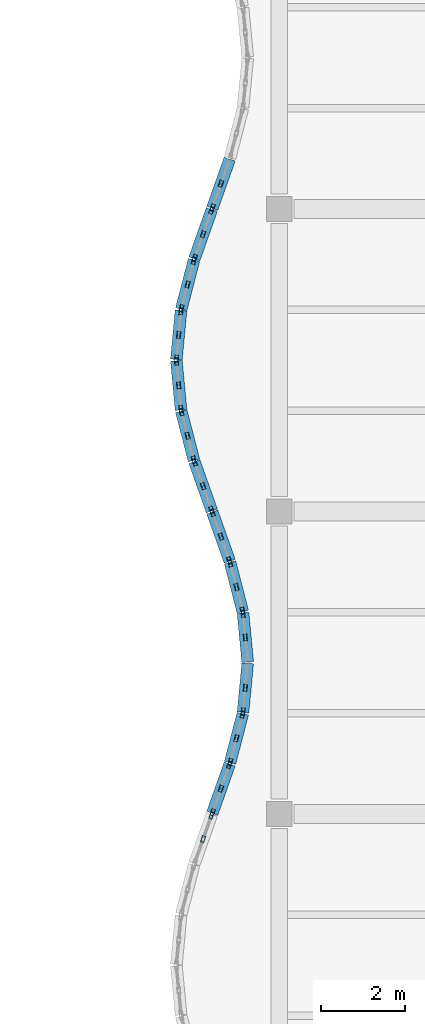
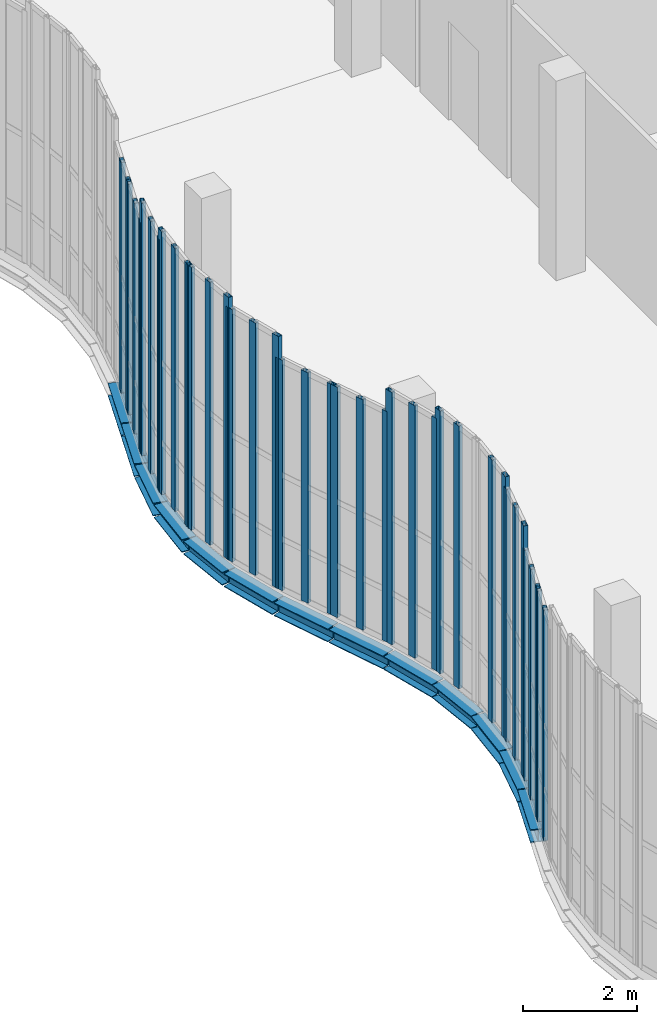
# One storey, part 19 of 105: 38 members, 13 beams, 14 elements without a shape of their own.
"""IFC4 building model written with IfcOpenShell, lengths in metres."""

from ifc_helpers import new_model, si_unit, direction, frame, origin, origin_2d, place, context, subcontext, project, spatial, hollow_rectangle, i_section, extrude, material, layer, layer_set, material_profile, profile_set, type_object, element, aggregate, save


model = new_model("IFC4")

# Units and contexts
model_context = context("Model", 3, precision=1e-05, world=origin(), true_north=direction((0.0, 1.0)))
body_context = subcontext(model_context, "Body", "Model", "MODEL_VIEW")
ifc_project = project(units=[si_unit("LENGTHUNIT", "METRE"), si_unit("AREAUNIT", "SQUARE_METRE"), si_unit("VOLUMEUNIT", "CUBIC_METRE"), si_unit("PLANEANGLEUNIT", "RADIAN"), si_unit("MASSUNIT", "GRAM", prefix="KILO"), si_unit("THERMODYNAMICTEMPERATUREUNIT", "KELVIN"), si_unit("POWERUNIT", "WATT")], contexts=[model_context])

# Site, building, storey
site_placement = place(None, origin())
site = spatial("IfcSite", under=ifc_project, at=site_placement, CompositionType="ELEMENT")
building_placement = place(site_placement, origin())
building = spatial("IfcBuilding", under=site, at=building_placement, Name="Kaldorven Railside Theatre", CompositionType="ELEMENT")
storey_placement = place(building_placement, frame((0.0, 0.0, 9.89990234375)))
storey = spatial("IfcBuildingStorey", under=building, at=storey_placement, Name="L02", CompositionType="ELEMENT", Elevation=9.89990234375)

# Beams
ifc_material_1 = material(Name="Steel S355", Category="steel")
ifc_material_profile_1 = material_profile(ifc_material_1, i_section(OverallWidth=0.280029296875, OverallDepth=0.280029296875, WebThickness=0.010498046875, FlangeThickness=0.01806640625, at=origin_2d()), Name="HEB 280")
ifc_profile_set_1 = profile_set([ifc_material_profile_1], Name="Steel S355")
beam_type = type_object("IfcBeamType", Name="BM-HEB280", PredefinedType="SPANDREL", material=ifc_profile_set_1)
beam_1_placement = place(storey_placement, frame((71.205078125, 48.01416015625, -0.389892578125), z_axis=(0.333908952671, 0.942605331688, 0.0), x_axis=(-0.942605331688, 0.333908952671, 0.0)))
element("IfcBeam", 1, at=beam_1_placement, inside=storey, type_object=beam_type, Name="L02 Sinusoidal Flute Edge Spandrel FSB-247", PredefinedType="SPANDREL", context=body_context, shape_type="SweptSolid", body=[
    extrude(i_section(OverallWidth=0.280029296875, OverallDepth=0.280029296875, WebThickness=0.010498046875, FlangeThickness=0.01806640625, at=origin_2d()), origin(), (0.0, 0.0, 1.0), 1.242919921875),
])
beam_2_placement = place(storey_placement, frame((71.62890625, 49.214599609375, -0.389892578125), z_axis=(0.250885106576, 0.968016871391, 0.0), x_axis=(-0.968016871391, 0.250885106576, 0.0)))
element("IfcBeam", 2, at=beam_2_placement, inside=storey, type_object=beam_type, Name="L02 Sinusoidal Flute Edge Spandrel FSB-248", PredefinedType="SPANDREL", context=body_context, shape_type="SweptSolid", body=[
    extrude(i_section(OverallWidth=0.280029296875, OverallDepth=0.280029296875, WebThickness=0.010498046875, FlangeThickness=0.01806640625, at=origin_2d()), origin(), (0.0, 0.0, 1.0), 1.20947265625),
])
beam_3_placement = place(storey_placement, frame((71.9375, 50.414794921875, -0.389892578125), z_axis=(0.09448569665, 0.995526219207, 0.0), x_axis=(-0.995526219207, 0.09448569665, 0.0)))
element("IfcBeam", 3, at=beam_3_placement, inside=storey, type_object=beam_type, Name="L02 Sinusoidal Flute Edge Spandrel FSB-249", PredefinedType="SPANDREL", context=body_context, shape_type="SweptSolid", body=[
    extrude(i_section(OverallWidth=0.280029296875, OverallDepth=0.280029296875, WebThickness=0.010498046875, FlangeThickness=0.01806640625, at=origin_2d()), origin(), (0.0, 0.0, 1.0), 1.17578125),
])
beam_4_placement = place(storey_placement, frame((72.048583984375, 51.614990234375, -0.389892578125), z_axis=(-0.094505233873, 0.99552436473, 0.0), x_axis=(-0.99552436473, -0.094505233873, 0.0)))
element("IfcBeam", 4, at=beam_4_placement, inside=storey, type_object=beam_type, Name="L02 Sinusoidal Flute Edge Spandrel FSB-250", PredefinedType="SPANDREL", context=body_context, shape_type="SweptSolid", body=[
    extrude(i_section(OverallWidth=0.280029296875, OverallDepth=0.280029296875, WebThickness=0.010498046875, FlangeThickness=0.01806640625, at=origin_2d()), origin(), (0.0, 0.0, 1.0), 1.175537109375),
])
beam_5_placement = place(storey_placement, frame((71.932373046875, 52.814453125, -0.389892578125), z_axis=(-0.250836097156, 0.96802957205, 0.0), x_axis=(-0.96802957205, -0.250836097156, 0.0)))
element("IfcBeam", 5, at=beam_5_placement, inside=storey, type_object=beam_type, Name="L02 Sinusoidal Flute Edge Spandrel FSB-251", PredefinedType="SPANDREL", context=body_context, shape_type="SweptSolid", body=[
    extrude(i_section(OverallWidth=0.280029296875, OverallDepth=0.280029296875, WebThickness=0.010498046875, FlangeThickness=0.01806640625, at=origin_2d()), origin(), (0.0, 0.0, 1.0), 1.209716796875),
])
beam_6_placement = place(storey_placement, frame((71.6201171875, 54.01416015625, -0.389892578125), z_axis=(-0.333908952671, 0.942605331688, 0.0), x_axis=(-0.942605331688, -0.333908952671, 0.0)))
element("IfcBeam", 6, at=beam_6_placement, inside=storey, type_object=beam_type, Name="L02 Sinusoidal Flute Edge Spandrel FSB-252", PredefinedType="SPANDREL", context=body_context, shape_type="SweptSolid", body=[
    extrude(i_section(OverallWidth=0.280029296875, OverallDepth=0.280029296875, WebThickness=0.010498046875, FlangeThickness=0.01806640625, at=origin_2d()), origin(), (0.0, 0.0, 1.0), 1.242919921875),
])
beam_7_placement = place(storey_placement, frame((71.195068359375, 55.214111328125, -0.389892578125), z_axis=(-0.333847142245, 0.942627225161, 0.0), x_axis=(-0.942627225161, -0.333847142245, 0.0)))
element("IfcBeam", 7, at=beam_7_placement, inside=storey, type_object=beam_type, Name="L02 Sinusoidal Flute Edge Spandrel FSB-253", PredefinedType="SPANDREL", context=body_context, shape_type="SweptSolid", body=[
    extrude(i_section(OverallWidth=0.280029296875, OverallDepth=0.280029296875, WebThickness=0.010498046875, FlangeThickness=0.01806640625, at=origin_2d()), origin(), (0.0, 0.0, 1.0), 1.2431640625),
])
beam_8_placement = place(storey_placement, frame((70.771240234375, 56.41455078125, -0.389892578125), z_axis=(-0.250885106576, 0.968016871391, 0.0), x_axis=(-0.968016871391, -0.250885106576, 0.0)))
element("IfcBeam", 8, at=beam_8_placement, inside=storey, type_object=beam_type, Name="L02 Sinusoidal Flute Edge Spandrel FSB-254", PredefinedType="SPANDREL", context=body_context, shape_type="SweptSolid", body=[
    extrude(i_section(OverallWidth=0.280029296875, OverallDepth=0.280029296875, WebThickness=0.010498046875, FlangeThickness=0.01806640625, at=origin_2d()), origin(), (0.0, 0.0, 1.0), 1.20947265625),
])
for number, where, z_axis, x_axis, name in (
    (9, (70.46240234375, 57.614990234375, -0.389892578125), (-0.094505233873, 0.99552436473, 0.0), (-0.99552436473, -0.094505233873, 0.0), "L02 Sinusoidal Flute Edge Spandrel FSB-255"),
    (10, (70.351318359375, 58.81494140625, -0.389892578125), (0.094505233873, 0.99552436473, 0.0), (-0.99552436473, 0.094505233873, 0.0), "L02 Sinusoidal Flute Edge Spandrel FSB-256"),
):
    element("IfcBeam", number, at=place(storey_placement, frame(where, z_axis=z_axis, x_axis=x_axis)), inside=storey, type_object=beam_type, Name=name, PredefinedType="SPANDREL", context=body_context, shape_type="SweptSolid", body=[
        extrude(i_section(OverallWidth=0.280029296875, OverallDepth=0.280029296875, WebThickness=0.010498046875, FlangeThickness=0.01806640625, at=origin_2d()), origin(), (0.0, 0.0, 1.0), 1.175537109375),
    ])
beam_9_placement = place(storey_placement, frame((70.4677734375, 60.014404296875, -0.389892578125), z_axis=(0.250836097156, 0.96802957205, 0.0), x_axis=(-0.96802957205, 0.250836097156, 0.0)))
element("IfcBeam", 11, at=beam_9_placement, inside=storey, type_object=beam_type, Name="L02 Sinusoidal Flute Edge Spandrel FSB-257", PredefinedType="SPANDREL", context=body_context, shape_type="SweptSolid", body=[
    extrude(i_section(OverallWidth=0.280029296875, OverallDepth=0.280029296875, WebThickness=0.010498046875, FlangeThickness=0.01806640625, at=origin_2d()), origin(), (0.0, 0.0, 1.0), 1.209716796875),
])
for number, where, z_axis, x_axis, name in (
    (12, (70.780029296875, 61.214111328125, -0.389892578125), (0.333847142245, 0.942627225161, 0.0), (-0.942627225161, 0.333847142245, 0.0), "L02 Sinusoidal Flute Edge Spandrel FSB-258"),
    (13, (71.205078125, 62.4140625, -0.389892578125), (0.333847142245, 0.942627225161, 0.0), (-0.942627225161, 0.333847142245, 0.0), "L02 Sinusoidal Flute Edge Spandrel FSB-259"),
):
    element("IfcBeam", number, at=place(storey_placement, frame(where, z_axis=z_axis, x_axis=x_axis)), inside=storey, type_object=beam_type, Name=name, PredefinedType="SPANDREL", context=body_context, shape_type="SweptSolid", body=[
        extrude(i_section(OverallWidth=0.280029296875, OverallDepth=0.280029296875, WebThickness=0.010498046875, FlangeThickness=0.01806640625, at=origin_2d()), origin(), (0.0, 0.0, 1.0), 1.2431640625),
    ])

# Curtain wall, members
ifc_material_2 = material(Name="Low-E laminated solar-control glass", Category="glass")
ifc_layer_1 = layer(ifc_material_2, 0.159912109375, Name="Low-E laminated solar-control glass")
ifc_layer_set_1 = layer_set([ifc_layer_1], Name="Low-E laminated solar-control glass")
curtain_wall_type_1 = type_object("IfcCurtainWallType", Name="CWT-22", PredefinedType="USERDEFINED", material=ifc_layer_set_1)
curtain_wall_1_placement = place(storey_placement, origin())
curtain_wall_1 = element("IfcCurtainWall", 14, at=curtain_wall_1_placement, inside=storey, type_object=curtain_wall_type_1, Name="Sinusoidal Fluted Curtain Wall CW-L02-W06", ObjectType="FLUTED GLAZING", PredefinedType="USERDEFINED")
ifc_material_3 = material(Name="Anodised bronze aluminium", Category="aluminium")
ifc_material_profile_2 = material_profile(ifc_material_3, hollow_rectangle(XDim=0.080078125, YDim=0.159912109375, WallThickness=0.00634765625, at=origin_2d()), Name="RHS 160x80x6.3")
ifc_profile_set_2 = profile_set([ifc_material_profile_2], Name="Anodised bronze aluminium")
member_type = type_object("IfcMemberType", Name="CWM-160", PredefinedType="MULLION", material=ifc_profile_set_2)
member_1_placement = place(storey_placement, frame((70.987548828125, 47.39990234375, 0.0), z_axis=(0.0, 0.0, 1.0), x_axis=(-0.942627225159, 0.33384714225, 0.0)))
member_1 = element("IfcMember", 15, at=member_1_placement, type_object=member_type, Name="CW-L02-W06 mullion 2", PredefinedType="MULLION", context=body_context, shape_type="SweptSolid", body=[
    extrude(hollow_rectangle(XDim=0.080078125, YDim=0.159912109375, WallThickness=0.00634765625, at=origin_2d()), origin(), (0.0, 0.0, 1.0), 4.9501953125),
])
member_2_placement = place(storey_placement, frame((71.186767578125, 47.96240234375, 0.0), z_axis=(0.0, 0.0, 1.0), x_axis=(-0.942627225159, 0.33384714225, 0.0)))
member_2 = element("IfcMember", 16, at=member_2_placement, type_object=member_type, Name="CW-L02-W06 mullion 3", PredefinedType="MULLION", context=body_context, shape_type="SweptSolid", body=[
    extrude(hollow_rectangle(XDim=0.080078125, YDim=0.159912109375, WallThickness=0.00634765625, at=origin_2d()), origin(), (0.0, 0.0, 1.0), 4.9501953125),
])
aggregate(curtain_wall_1, [member_1, member_2])

curtain_wall_2_placement = place(storey_placement, origin())
curtain_wall_2 = element("IfcCurtainWall", 17, at=curtain_wall_2_placement, inside=storey, type_object=curtain_wall_type_1, Name="Sinusoidal Fluted Curtain Wall CW-L02-W07", ObjectType="FLUTED GLAZING", PredefinedType="USERDEFINED")
member_3_placement = place(storey_placement, frame((71.21337890625, 48.03759765625, 0.0), z_axis=(0.0, 0.0, 1.0), x_axis=(-0.942627225159, 0.33384714225, 0.0)))
member_3 = element("IfcMember", 18, at=member_3_placement, type_object=member_type, Name="CW-L02-W07 mullion 1", PredefinedType="MULLION", context=body_context, shape_type="SweptSolid", body=[
    extrude(hollow_rectangle(XDim=0.080078125, YDim=0.159912109375, WallThickness=0.00634765625, at=origin_2d()), origin(), (0.0, 0.0, 1.0), 4.9501953125),
])
member_4_placement = place(storey_placement, frame((71.41259765625, 48.60009765625, 0.0), z_axis=(0.0, 0.0, 1.0), x_axis=(-0.942627225159, 0.33384714225, 0.0)))
member_4 = element("IfcMember", 19, at=member_4_placement, type_object=member_type, Name="CW-L02-W07 mullion 2", PredefinedType="MULLION", context=body_context, shape_type="SweptSolid", body=[
    extrude(hollow_rectangle(XDim=0.080078125, YDim=0.159912109375, WallThickness=0.00634765625, at=origin_2d()), origin(), (0.0, 0.0, 1.0), 4.9501953125),
])
member_5_placement = place(storey_placement, frame((71.611572265625, 49.162353515625, 0.0), z_axis=(0.0, 0.0, 1.0), x_axis=(-0.942627225159, 0.33384714225, 0.0)))
member_5 = element("IfcMember", 20, at=member_5_placement, type_object=member_type, Name="CW-L02-W07 mullion 3", PredefinedType="MULLION", context=body_context, shape_type="SweptSolid", body=[
    extrude(hollow_rectangle(XDim=0.080078125, YDim=0.159912109375, WallThickness=0.00634765625, at=origin_2d()), origin(), (0.0, 0.0, 1.0), 4.9501953125),
])
aggregate(curtain_wall_2, [member_3, member_4, member_5])

ifc_layer_2 = layer(ifc_material_2, 0.159912109375, Name="Low-E laminated solar-control glass")
ifc_layer_set_2 = layer_set([ifc_layer_2], Name="Low-E laminated solar-control glass")
curtain_wall_type_2 = type_object("IfcCurtainWallType", Name="CWT-23", PredefinedType="USERDEFINED", material=ifc_layer_set_2)
curtain_wall_3_placement = place(storey_placement, origin())
curtain_wall_3 = element("IfcCurtainWall", 21, at=curtain_wall_3_placement, inside=storey, type_object=curtain_wall_type_2, Name="Sinusoidal Fluted Curtain Wall CW-L02-W08", ObjectType="FLUTED GLAZING", PredefinedType="USERDEFINED")
member_6_placement = place(storey_placement, frame((71.635009765625, 49.23876953125, 0.0), z_axis=(0.0, 0.0, 1.0), x_axis=(-0.967999075505, 0.250953760326, 0.0)))
member_6 = element("IfcMember", 22, at=member_6_placement, type_object=member_type, Name="CW-L02-W08 mullion 1", PredefinedType="MULLION", context=body_context, shape_type="SweptSolid", body=[
    extrude(hollow_rectangle(XDim=0.080078125, YDim=0.159912109375, WallThickness=0.00634765625, at=origin_2d()), origin(), (0.0, 0.0, 1.0), 5.420166015625),
])
member_7_placement = place(storey_placement, frame((71.780517578125, 49.800048828125, 0.0), z_axis=(0.0, 0.0, 1.0), x_axis=(-0.967999075505, 0.250953760326, 0.0)))
member_7 = element("IfcMember", 23, at=member_7_placement, type_object=member_type, Name="CW-L02-W08 mullion 2", PredefinedType="MULLION", context=body_context, shape_type="SweptSolid", body=[
    extrude(hollow_rectangle(XDim=0.080078125, YDim=0.159912109375, WallThickness=0.00634765625, at=origin_2d()), origin(), (0.0, 0.0, 1.0), 5.420166015625),
])
member_8_placement = place(storey_placement, frame((71.926025390625, 50.361328125, 0.0), z_axis=(0.0, 0.0, 1.0), x_axis=(-0.967999075505, 0.250953760326, 0.0)))
member_8 = element("IfcMember", 24, at=member_8_placement, type_object=member_type, Name="CW-L02-W08 mullion 3", PredefinedType="MULLION", context=body_context, shape_type="SweptSolid", body=[
    extrude(hollow_rectangle(XDim=0.080078125, YDim=0.159912109375, WallThickness=0.00634765625, at=origin_2d()), origin(), (0.0, 0.0, 1.0), 5.420166015625),
])
aggregate(curtain_wall_3, [member_6, member_7, member_8])

ifc_layer_3 = layer(ifc_material_2, 0.159912109375, Name="Low-E laminated solar-control glass")
ifc_layer_set_3 = layer_set([ifc_layer_3], Name="Low-E laminated solar-control glass")
curtain_wall_type_3 = type_object("IfcCurtainWallType", Name="CWT-24", PredefinedType="USERDEFINED", material=ifc_layer_set_3)
curtain_wall_4_placement = place(storey_placement, origin())
curtain_wall_4 = element("IfcCurtainWall", 25, at=curtain_wall_4_placement, inside=storey, type_object=curtain_wall_type_3, Name="Sinusoidal Fluted Curtain Wall CW-L02-W09", ObjectType="FLUTED GLAZING", PredefinedType="USERDEFINED")
member_9_placement = place(storey_placement, frame((71.93994140625, 50.43994140625, 0.0), z_axis=(0.0, 0.0, 1.0), x_axis=(-0.995525623425, 0.094491973758, 0.0)))
member_9 = element("IfcMember", 26, at=member_9_placement, type_object=member_type, Name="CW-L02-W09 mullion 1", PredefinedType="MULLION", context=body_context, shape_type="SweptSolid", body=[
    extrude(hollow_rectangle(XDim=0.080078125, YDim=0.159912109375, WallThickness=0.00634765625, at=origin_2d()), origin(), (0.0, 0.0, 1.0), 5.64013671875),
])
member_10_placement = place(storey_placement, frame((71.9931640625, 51.0, 0.0), z_axis=(0.0, 0.0, 1.0), x_axis=(-0.995525623425, 0.094491973758, 0.0)))
member_10 = element("IfcMember", 27, at=member_10_placement, type_object=member_type, Name="CW-L02-W09 mullion 2", PredefinedType="MULLION", context=body_context, shape_type="SweptSolid", body=[
    extrude(hollow_rectangle(XDim=0.080078125, YDim=0.159912109375, WallThickness=0.00634765625, at=origin_2d()), origin(), (0.0, 0.0, 1.0), 5.64013671875),
])
aggregate(curtain_wall_4, [member_9, member_10])

curtain_wall_5_placement = place(storey_placement, origin())
curtain_wall_5 = element("IfcCurtainWall", 28, at=curtain_wall_5_placement, inside=storey, type_object=curtain_wall_type_3, Name="Sinusoidal Fluted Curtain Wall CW-L02-W10", ObjectType="FLUTED GLAZING", PredefinedType="USERDEFINED")
member_11_placement = place(storey_placement, frame((71.9931640625, 52.199951171875, 0.0), z_axis=(0.0, 0.0, 1.0), x_axis=(-0.995525623425, -0.094491973758, 0.0)))
member_11 = element("IfcMember", 29, at=member_11_placement, type_object=member_type, Name="CW-L02-W10 mullion 2", PredefinedType="MULLION", context=body_context, shape_type="SweptSolid", body=[
    extrude(hollow_rectangle(XDim=0.080078125, YDim=0.159912109375, WallThickness=0.00634765625, at=origin_2d()), origin(), (0.0, 0.0, 1.0), 5.64013671875),
])
member_12_placement = place(storey_placement, frame((71.93994140625, 52.76025390625, 0.0), z_axis=(0.0, 0.0, 1.0), x_axis=(-0.995525623425, -0.094491973758, 0.0)))
member_12 = element("IfcMember", 30, at=member_12_placement, type_object=member_type, Name="CW-L02-W10 mullion 3", PredefinedType="MULLION", context=body_context, shape_type="SweptSolid", body=[
    extrude(hollow_rectangle(XDim=0.080078125, YDim=0.159912109375, WallThickness=0.00634765625, at=origin_2d()), origin(), (0.0, 0.0, 1.0), 5.64013671875),
])
aggregate(curtain_wall_5, [member_11, member_12])

curtain_wall_6_placement = place(storey_placement, origin())
curtain_wall_6 = element("IfcCurtainWall", 31, at=curtain_wall_6_placement, inside=storey, type_object=curtain_wall_type_2, Name="Sinusoidal Fluted Curtain Wall CW-L02-W11", ObjectType="FLUTED GLAZING", PredefinedType="USERDEFINED")
member_13_placement = place(storey_placement, frame((71.926025390625, 52.838623046875, 0.0), z_axis=(0.0, 0.0, 1.0), x_axis=(-0.967999075505, -0.250953760326, 0.0)))
member_13 = element("IfcMember", 32, at=member_13_placement, type_object=member_type, Name="CW-L02-W11 mullion 1", PredefinedType="MULLION", context=body_context, shape_type="SweptSolid", body=[
    extrude(hollow_rectangle(XDim=0.080078125, YDim=0.159912109375, WallThickness=0.00634765625, at=origin_2d()), origin(), (0.0, 0.0, 1.0), 5.420166015625),
])
member_14_placement = place(storey_placement, frame((71.780517578125, 53.39990234375, 0.0), z_axis=(0.0, 0.0, 1.0), x_axis=(-0.967999075505, -0.250953760326, 0.0)))
member_14 = element("IfcMember", 33, at=member_14_placement, type_object=member_type, Name="CW-L02-W11 mullion 2", PredefinedType="MULLION", context=body_context, shape_type="SweptSolid", body=[
    extrude(hollow_rectangle(XDim=0.080078125, YDim=0.159912109375, WallThickness=0.00634765625, at=origin_2d()), origin(), (0.0, 0.0, 1.0), 5.420166015625),
])
member_15_placement = place(storey_placement, frame((71.635009765625, 53.961181640625, 0.0), z_axis=(0.0, 0.0, 1.0), x_axis=(-0.967999075505, -0.250953760326, 0.0)))
member_15 = element("IfcMember", 34, at=member_15_placement, type_object=member_type, Name="CW-L02-W11 mullion 3", PredefinedType="MULLION", context=body_context, shape_type="SweptSolid", body=[
    extrude(hollow_rectangle(XDim=0.080078125, YDim=0.159912109375, WallThickness=0.00634765625, at=origin_2d()), origin(), (0.0, 0.0, 1.0), 5.420166015625),
])
aggregate(curtain_wall_6, [member_13, member_14, member_15])

curtain_wall_7_placement = place(storey_placement, origin())
curtain_wall_7 = element("IfcCurtainWall", 35, at=curtain_wall_7_placement, inside=storey, type_object=curtain_wall_type_1, Name="Sinusoidal Fluted Curtain Wall CW-L02-W12", ObjectType="FLUTED GLAZING", PredefinedType="USERDEFINED")
member_16_placement = place(storey_placement, frame((71.611572265625, 54.03759765625, 0.0), z_axis=(0.0, 0.0, 1.0), x_axis=(-0.942627225159, -0.33384714225, 0.0)))
member_16 = element("IfcMember", 36, at=member_16_placement, type_object=member_type, Name="CW-L02-W12 mullion 1", PredefinedType="MULLION", context=body_context, shape_type="SweptSolid", body=[
    extrude(hollow_rectangle(XDim=0.080078125, YDim=0.159912109375, WallThickness=0.00634765625, at=origin_2d()), origin(), (0.0, 0.0, 1.0), 4.9501953125),
])
member_17_placement = place(storey_placement, frame((71.41259765625, 54.60009765625, 0.0), z_axis=(0.0, 0.0, 1.0), x_axis=(-0.942627225159, -0.33384714225, 0.0)))
member_17 = element("IfcMember", 37, at=member_17_placement, type_object=member_type, Name="CW-L02-W12 mullion 2", PredefinedType="MULLION", context=body_context, shape_type="SweptSolid", body=[
    extrude(hollow_rectangle(XDim=0.080078125, YDim=0.159912109375, WallThickness=0.00634765625, at=origin_2d()), origin(), (0.0, 0.0, 1.0), 4.9501953125),
])
member_18_placement = place(storey_placement, frame((71.21337890625, 55.162353515625, 0.0), z_axis=(0.0, 0.0, 1.0), x_axis=(-0.942627225159, -0.33384714225, 0.0)))
member_18 = element("IfcMember", 38, at=member_18_placement, type_object=member_type, Name="CW-L02-W12 mullion 3", PredefinedType="MULLION", context=body_context, shape_type="SweptSolid", body=[
    extrude(hollow_rectangle(XDim=0.080078125, YDim=0.159912109375, WallThickness=0.00634765625, at=origin_2d()), origin(), (0.0, 0.0, 1.0), 4.9501953125),
])
aggregate(curtain_wall_7, [member_16, member_17, member_18])

curtain_wall_8_placement = place(storey_placement, origin())
curtain_wall_8 = element("IfcCurtainWall", 39, at=curtain_wall_8_placement, inside=storey, type_object=curtain_wall_type_1, Name="Sinusoidal Fluted Curtain Wall CW-L02-W13", ObjectType="FLUTED GLAZING", PredefinedType="USERDEFINED")
member_19_placement = place(storey_placement, frame((71.186767578125, 55.23779296875, 0.0), z_axis=(0.0, 0.0, 1.0), x_axis=(-0.942627225159, -0.33384714225, 0.0)))
member_19 = element("IfcMember", 40, at=member_19_placement, type_object=member_type, Name="CW-L02-W13 mullion 1", PredefinedType="MULLION", context=body_context, shape_type="SweptSolid", body=[
    extrude(hollow_rectangle(XDim=0.080078125, YDim=0.159912109375, WallThickness=0.00634765625, at=origin_2d()), origin(), (0.0, 0.0, 1.0), 4.9501953125),
])
member_20_placement = place(storey_placement, frame((70.987548828125, 55.800048828125, 0.0), z_axis=(0.0, 0.0, 1.0), x_axis=(-0.942627225159, -0.33384714225, 0.0)))
member_20 = element("IfcMember", 41, at=member_20_placement, type_object=member_type, Name="CW-L02-W13 mullion 2", PredefinedType="MULLION", context=body_context, shape_type="SweptSolid", body=[
    extrude(hollow_rectangle(XDim=0.080078125, YDim=0.159912109375, WallThickness=0.00634765625, at=origin_2d()), origin(), (0.0, 0.0, 1.0), 4.9501953125),
])
member_21_placement = place(storey_placement, frame((70.788330078125, 56.3623046875, 0.0), z_axis=(0.0, 0.0, 1.0), x_axis=(-0.942627225159, -0.33384714225, 0.0)))
member_21 = element("IfcMember", 42, at=member_21_placement, type_object=member_type, Name="CW-L02-W13 mullion 3", PredefinedType="MULLION", context=body_context, shape_type="SweptSolid", body=[
    extrude(hollow_rectangle(XDim=0.080078125, YDim=0.159912109375, WallThickness=0.00634765625, at=origin_2d()), origin(), (0.0, 0.0, 1.0), 4.9501953125),
])
aggregate(curtain_wall_8, [member_19, member_20, member_21])

curtain_wall_9_placement = place(storey_placement, origin())
curtain_wall_9 = element("IfcCurtainWall", 43, at=curtain_wall_9_placement, inside=storey, type_object=curtain_wall_type_2, Name="Sinusoidal Fluted Curtain Wall CW-L02-W14", ObjectType="FLUTED GLAZING", PredefinedType="USERDEFINED")
member_22_placement = place(storey_placement, frame((70.764892578125, 56.438720703125, 0.0), z_axis=(0.0, 0.0, 1.0), x_axis=(-0.967999075505, -0.250953760326, 0.0)))
member_22 = element("IfcMember", 44, at=member_22_placement, type_object=member_type, Name="CW-L02-W14 mullion 1", PredefinedType="MULLION", context=body_context, shape_type="SweptSolid", body=[
    extrude(hollow_rectangle(XDim=0.080078125, YDim=0.159912109375, WallThickness=0.00634765625, at=origin_2d()), origin(), (0.0, 0.0, 1.0), 5.420166015625),
])
member_23_placement = place(storey_placement, frame((70.619384765625, 57.0, 0.0), z_axis=(0.0, 0.0, 1.0), x_axis=(-0.967999075505, -0.250953760326, 0.0)))
member_23 = element("IfcMember", 45, at=member_23_placement, type_object=member_type, Name="CW-L02-W14 mullion 2", PredefinedType="MULLION", context=body_context, shape_type="SweptSolid", body=[
    extrude(hollow_rectangle(XDim=0.080078125, YDim=0.159912109375, WallThickness=0.00634765625, at=origin_2d()), origin(), (0.0, 0.0, 1.0), 5.420166015625),
])
member_24_placement = place(storey_placement, frame((70.473876953125, 57.561279296875, 0.0), z_axis=(0.0, 0.0, 1.0), x_axis=(-0.967999075505, -0.250953760326, 0.0)))
member_24 = element("IfcMember", 46, at=member_24_placement, type_object=member_type, Name="CW-L02-W14 mullion 3", PredefinedType="MULLION", context=body_context, shape_type="SweptSolid", body=[
    extrude(hollow_rectangle(XDim=0.080078125, YDim=0.159912109375, WallThickness=0.00634765625, at=origin_2d()), origin(), (0.0, 0.0, 1.0), 5.420166015625),
])
aggregate(curtain_wall_9, [member_22, member_23, member_24])

curtain_wall_10_placement = place(storey_placement, origin())
curtain_wall_10 = element("IfcCurtainWall", 47, at=curtain_wall_10_placement, inside=storey, type_object=curtain_wall_type_3, Name="Sinusoidal Fluted Curtain Wall CW-L02-W15", ObjectType="FLUTED GLAZING", PredefinedType="USERDEFINED")
member_25_placement = place(storey_placement, frame((70.460205078125, 57.639892578125, 0.0), z_axis=(0.0, 0.0, 1.0), x_axis=(-0.995525623425, -0.094491973758, 0.0)))
member_25 = element("IfcMember", 48, at=member_25_placement, type_object=member_type, Name="CW-L02-W15 mullion 1", PredefinedType="MULLION", context=body_context, shape_type="SweptSolid", body=[
    extrude(hollow_rectangle(XDim=0.080078125, YDim=0.159912109375, WallThickness=0.00634765625, at=origin_2d()), origin(), (0.0, 0.0, 1.0), 5.64013671875),
])
member_26_placement = place(storey_placement, frame((70.406982421875, 58.199951171875, 0.0), z_axis=(0.0, 0.0, 1.0), x_axis=(-0.995525623425, -0.094491973758, 0.0)))
member_26 = element("IfcMember", 49, at=member_26_placement, type_object=member_type, Name="CW-L02-W15 mullion 2", PredefinedType="MULLION", context=body_context, shape_type="SweptSolid", body=[
    extrude(hollow_rectangle(XDim=0.080078125, YDim=0.159912109375, WallThickness=0.00634765625, at=origin_2d()), origin(), (0.0, 0.0, 1.0), 5.64013671875),
])
member_27_placement = place(storey_placement, frame((70.353759765625, 58.76025390625, 0.0), z_axis=(0.0, 0.0, 1.0), x_axis=(-0.995525623425, -0.094491973758, 0.0)))
member_27 = element("IfcMember", 50, at=member_27_placement, type_object=member_type, Name="CW-L02-W15 mullion 3", PredefinedType="MULLION", context=body_context, shape_type="SweptSolid", body=[
    extrude(hollow_rectangle(XDim=0.080078125, YDim=0.159912109375, WallThickness=0.00634765625, at=origin_2d()), origin(), (0.0, 0.0, 1.0), 5.64013671875),
])
aggregate(curtain_wall_10, [member_25, member_26, member_27])

curtain_wall_11_placement = place(storey_placement, origin())
curtain_wall_11 = element("IfcCurtainWall", 51, at=curtain_wall_11_placement, inside=storey, type_object=curtain_wall_type_3, Name="Sinusoidal Fluted Curtain Wall CW-L02-W16", ObjectType="FLUTED GLAZING", PredefinedType="USERDEFINED")
member_28_placement = place(storey_placement, frame((70.353759765625, 58.83984375, 0.0), z_axis=(0.0, 0.0, 1.0), x_axis=(-0.995525623425, 0.094491973758, 0.0)))
member_28 = element("IfcMember", 52, at=member_28_placement, type_object=member_type, Name="CW-L02-W16 mullion 1", PredefinedType="MULLION", context=body_context, shape_type="SweptSolid", body=[
    extrude(hollow_rectangle(XDim=0.080078125, YDim=0.159912109375, WallThickness=0.00634765625, at=origin_2d()), origin(), (0.0, 0.0, 1.0), 5.64013671875),
])
member_29_placement = place(storey_placement, frame((70.406982421875, 59.39990234375, 0.0), z_axis=(0.0, 0.0, 1.0), x_axis=(-0.995525623425, 0.094491973758, 0.0)))
member_29 = element("IfcMember", 53, at=member_29_placement, type_object=member_type, Name="CW-L02-W16 mullion 2", PredefinedType="MULLION", context=body_context, shape_type="SweptSolid", body=[
    extrude(hollow_rectangle(XDim=0.080078125, YDim=0.159912109375, WallThickness=0.00634765625, at=origin_2d()), origin(), (0.0, 0.0, 1.0), 5.64013671875),
])
member_30_placement = place(storey_placement, frame((70.460205078125, 59.960205078125, 0.0), z_axis=(0.0, 0.0, 1.0), x_axis=(-0.995525623425, 0.094491973758, 0.0)))
member_30 = element("IfcMember", 54, at=member_30_placement, type_object=member_type, Name="CW-L02-W16 mullion 3", PredefinedType="MULLION", context=body_context, shape_type="SweptSolid", body=[
    extrude(hollow_rectangle(XDim=0.080078125, YDim=0.159912109375, WallThickness=0.00634765625, at=origin_2d()), origin(), (0.0, 0.0, 1.0), 5.64013671875),
])
aggregate(curtain_wall_11, [member_28, member_29, member_30])

curtain_wall_12_placement = place(storey_placement, origin())
curtain_wall_12 = element("IfcCurtainWall", 55, at=curtain_wall_12_placement, inside=storey, type_object=curtain_wall_type_2, Name="Sinusoidal Fluted Curtain Wall CW-L02-W17", ObjectType="FLUTED GLAZING", PredefinedType="USERDEFINED")
member_31_placement = place(storey_placement, frame((70.473876953125, 60.038818359375, 0.0), z_axis=(0.0, 0.0, 1.0), x_axis=(-0.967999075505, 0.250953760326, 0.0)))
member_31 = element("IfcMember", 56, at=member_31_placement, type_object=member_type, Name="CW-L02-W17 mullion 1", PredefinedType="MULLION", context=body_context, shape_type="SweptSolid", body=[
    extrude(hollow_rectangle(XDim=0.080078125, YDim=0.159912109375, WallThickness=0.00634765625, at=origin_2d()), origin(), (0.0, 0.0, 1.0), 5.420166015625),
])
member_32_placement = place(storey_placement, frame((70.619384765625, 60.60009765625, 0.0), z_axis=(0.0, 0.0, 1.0), x_axis=(-0.967999075505, 0.250953760326, 0.0)))
member_32 = element("IfcMember", 57, at=member_32_placement, type_object=member_type, Name="CW-L02-W17 mullion 2", PredefinedType="MULLION", context=body_context, shape_type="SweptSolid", body=[
    extrude(hollow_rectangle(XDim=0.080078125, YDim=0.159912109375, WallThickness=0.00634765625, at=origin_2d()), origin(), (0.0, 0.0, 1.0), 5.420166015625),
])
member_33_placement = place(storey_placement, frame((70.764892578125, 61.161376953125, 0.0), z_axis=(0.0, 0.0, 1.0), x_axis=(-0.967999075505, 0.250953760326, 0.0)))
member_33 = element("IfcMember", 58, at=member_33_placement, type_object=member_type, Name="CW-L02-W17 mullion 3", PredefinedType="MULLION", context=body_context, shape_type="SweptSolid", body=[
    extrude(hollow_rectangle(XDim=0.080078125, YDim=0.159912109375, WallThickness=0.00634765625, at=origin_2d()), origin(), (0.0, 0.0, 1.0), 5.420166015625),
])
aggregate(curtain_wall_12, [member_31, member_32, member_33])

curtain_wall_13_placement = place(storey_placement, origin())
curtain_wall_13 = element("IfcCurtainWall", 59, at=curtain_wall_13_placement, inside=storey, type_object=curtain_wall_type_1, Name="Sinusoidal Fluted Curtain Wall CW-L02-W18", ObjectType="FLUTED GLAZING", PredefinedType="USERDEFINED")
member_34_placement = place(storey_placement, frame((70.788330078125, 61.23779296875, 0.0), z_axis=(0.0, 0.0, 1.0), x_axis=(-0.942627225159, 0.33384714225, 0.0)))
member_34 = element("IfcMember", 60, at=member_34_placement, type_object=member_type, Name="CW-L02-W18 mullion 1", PredefinedType="MULLION", context=body_context, shape_type="SweptSolid", body=[
    extrude(hollow_rectangle(XDim=0.080078125, YDim=0.159912109375, WallThickness=0.00634765625, at=origin_2d()), origin(), (0.0, 0.0, 1.0), 4.9501953125),
])
member_35_placement = place(storey_placement, frame((70.987548828125, 61.800048828125, 0.0), z_axis=(0.0, 0.0, 1.0), x_axis=(-0.942627225159, 0.33384714225, 0.0)))
member_35 = element("IfcMember", 61, at=member_35_placement, type_object=member_type, Name="CW-L02-W18 mullion 2", PredefinedType="MULLION", context=body_context, shape_type="SweptSolid", body=[
    extrude(hollow_rectangle(XDim=0.080078125, YDim=0.159912109375, WallThickness=0.00634765625, at=origin_2d()), origin(), (0.0, 0.0, 1.0), 4.9501953125),
])
member_36_placement = place(storey_placement, frame((71.186767578125, 62.3623046875, 0.0), z_axis=(0.0, 0.0, 1.0), x_axis=(-0.942627225159, 0.33384714225, 0.0)))
member_36 = element("IfcMember", 62, at=member_36_placement, type_object=member_type, Name="CW-L02-W18 mullion 3", PredefinedType="MULLION", context=body_context, shape_type="SweptSolid", body=[
    extrude(hollow_rectangle(XDim=0.080078125, YDim=0.159912109375, WallThickness=0.00634765625, at=origin_2d()), origin(), (0.0, 0.0, 1.0), 4.9501953125),
])
aggregate(curtain_wall_13, [member_34, member_35, member_36])

curtain_wall_14_placement = place(storey_placement, origin())
curtain_wall_14 = element("IfcCurtainWall", 63, at=curtain_wall_14_placement, inside=storey, type_object=curtain_wall_type_1, Name="Sinusoidal Fluted Curtain Wall CW-L02-W19", ObjectType="FLUTED GLAZING", PredefinedType="USERDEFINED")
member_37_placement = place(storey_placement, frame((71.21337890625, 62.437744140625, 0.0), z_axis=(0.0, 0.0, 1.0), x_axis=(-0.942627225159, 0.33384714225, 0.0)))
member_37 = element("IfcMember", 64, at=member_37_placement, type_object=member_type, Name="CW-L02-W19 mullion 1", PredefinedType="MULLION", context=body_context, shape_type="SweptSolid", body=[
    extrude(hollow_rectangle(XDim=0.080078125, YDim=0.159912109375, WallThickness=0.00634765625, at=origin_2d()), origin(), (0.0, 0.0, 1.0), 4.9501953125),
])
member_38_placement = place(storey_placement, frame((71.41259765625, 63.0, 0.0), z_axis=(0.0, 0.0, 1.0), x_axis=(-0.942627225159, 0.33384714225, 0.0)))
member_38 = element("IfcMember", 65, at=member_38_placement, type_object=member_type, Name="CW-L02-W19 mullion 2", PredefinedType="MULLION", context=body_context, shape_type="SweptSolid", body=[
    extrude(hollow_rectangle(XDim=0.080078125, YDim=0.159912109375, WallThickness=0.00634765625, at=origin_2d()), origin(), (0.0, 0.0, 1.0), 4.9501953125),
])
aggregate(curtain_wall_14, [member_37, member_38])

save(model, "model.ifc")
